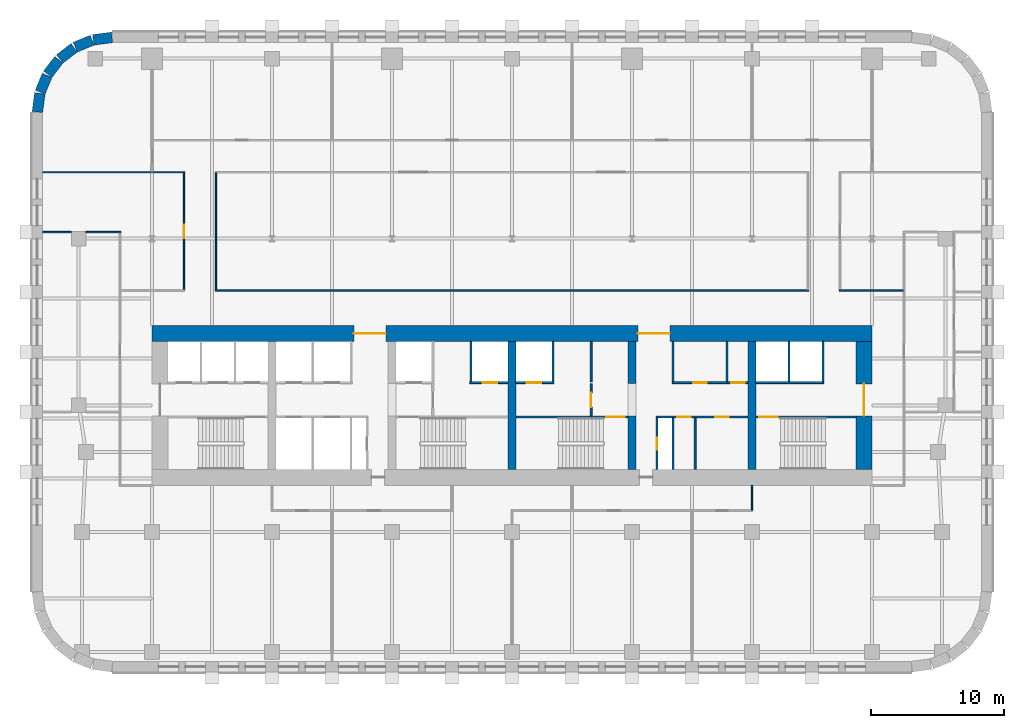
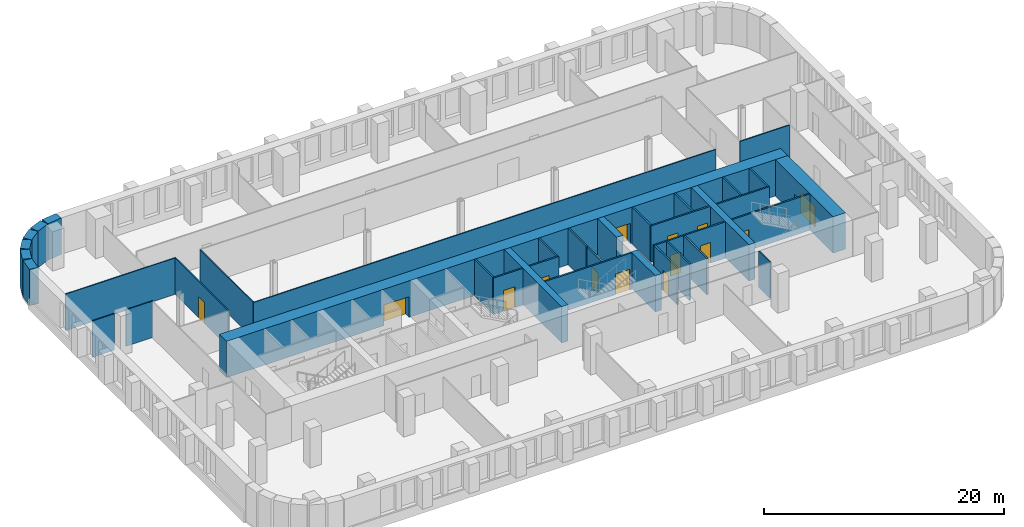
# One storey, part 6 of 12: 38 walls, 14 doors, 14 openings.
"""IFC4 building model written with IfcOpenShell, lengths in metres."""

from ifc_helpers import new_model, si_unit, direction, frame, frame_2d, origin, place, context, subcontext, project, spatial, rectangle, extrude, material, layer, layer_set, type_object, element, fill, save


model = new_model("IFC4")

# Units and contexts
model_context = context("Model", 3, precision=1e-05, world=origin(), true_north=direction((0.0, 1.0)))
body_context = subcontext(model_context, "Body", "Model", "MODEL_VIEW")
ifc_project = project(units=[si_unit("LENGTHUNIT", "METRE"), si_unit("AREAUNIT", "SQUARE_METRE"), si_unit("VOLUMEUNIT", "CUBIC_METRE"), si_unit("PLANEANGLEUNIT", "RADIAN"), si_unit("MASSUNIT", "GRAM", prefix="KILO")], contexts=[model_context])

# Site, building, storey
site_placement = place(None, origin())
site = spatial("IfcSite", under=ifc_project, at=site_placement, CompositionType="ELEMENT")
building_placement = place(site_placement, origin())
building = spatial("IfcBuilding", under=site, at=building_placement, Name="Zellij Exchange Tower", CompositionType="ELEMENT")
storey_placement = place(building_placement, frame((0.0, 0.0, 96.5)))
storey = spatial("IfcBuildingStorey", under=building, at=storey_placement, Name="L20", CompositionType="ELEMENT", Elevation=96.5)

# Walls
ifc_material_1 = material(Name="Concrete C70/85", Category="concrete")
ifc_layer_1 = layer(ifc_material_1, 0.60009765625)
ifc_layer_set_1 = layer_set([ifc_layer_1], Name="Concrete C70/85")
wall_type_1 = type_object("IfcWallType", Name="CORE-CW 600 C70/85", PredefinedType="SHEAR", material=ifc_layer_set_1)
wall_1_placement = place(storey_placement, frame((0.0, -12.800048828125, 0.0), z_axis=(0.0, 0.0, 1.0), x_axis=(0.0, 1.0, 0.0)))
element("IfcWall", 1, at=wall_1_placement, inside=storey, type_object=wall_type_1, Name="Core cross wall x 0 L20", PredefinedType="SHEAR", context=body_context, shape_type="SweptSolid", body=[
    extrude(rectangle(XDim=9.60009765625, YDim=0.60009765625, at=frame_2d((4.800048828125, 0.0))), origin(), (0.0, 0.0, 1.0), 3.699951171875),
])
wall_2_placement = place(storey_placement, frame((9.0, -12.800048828125, 0.0), z_axis=(0.0, 0.0, 1.0), x_axis=(0.0, 1.0, 0.0)))
element("IfcWall", 2, at=wall_2_placement, inside=storey, type_object=wall_type_1, Name="Core cross wall pier x 9 a L20", PredefinedType="SHEAR", context=body_context, shape_type="SweptSolid", body=[
    extrude(rectangle(XDim=4.0, YDim=0.60009765625, at=frame_2d((2.0, 0.0))), origin(), (0.0, 0.0, 1.0), 3.699951171875),
])
wall_3_placement = place(storey_placement, frame((9.0, -6.375, 0.0), z_axis=(0.0, 0.0, 1.0), x_axis=(0.0, 1.0, 0.0)))
element("IfcWall", 3, at=wall_3_placement, inside=storey, type_object=wall_type_1, Name="Core cross wall pier x 9 b L20", PredefinedType="SHEAR", context=body_context, shape_type="SweptSolid", body=[
    extrude(rectangle(XDim=3.175048828125, YDim=0.60009765625, at=frame_2d((1.58740234375, 0.0))), origin(), (0.0, 0.0, 1.0), 3.699951171875),
])
wall_4_placement = place(storey_placement, frame((18.0, -12.800048828125, 0.0), z_axis=(0.0, 0.0, 1.0), x_axis=(0.0, 1.0, 0.0)))
element("IfcWall", 4, at=wall_4_placement, inside=storey, type_object=wall_type_1, Name="Core cross wall x 18 L20", PredefinedType="SHEAR", context=body_context, shape_type="SweptSolid", body=[
    extrude(rectangle(XDim=9.60009765625, YDim=0.60009765625, at=frame_2d((4.800048828125, 0.0))), origin(), (0.0, 0.0, 1.0), 3.699951171875),
])

# Wall, opening, door
ifc_material_2 = material(Name="Gypsum shaft wall system")
ifc_layer_2 = layer(ifc_material_2, 0.14990234375)
ifc_layer_set_2 = layer_set([ifc_layer_2], Name="Gypsum shaft wall system")
wall_type_2 = type_object("IfcWallType", Name="CORE-PW 150 Firefighting lobby wall", PredefinedType="PARTITIONING", material=ifc_layer_set_2)
wall_5_placement = place(storey_placement, frame((5.925048828125, -8.800048828125, 0.0), z_axis=(0.0, 0.0, 1.0), x_axis=(0.0, 1.0, 0.0)))
wall_5 = element("IfcWall", 5, at=wall_5_placement, inside=storey, type_object=wall_type_2, Name="Firefighting lobby wall L20", PredefinedType="PARTITIONING", context=body_context, shape_type="SweptSolid", body=[
    extrude(rectangle(XDim=2.425048828125, YDim=0.14990234375, at=frame_2d((1.21240234375, 0.0))), origin(), (0.0, 0.0, 1.0), 3.699951171875),
])
opening_1_placement = place(wall_5_placement, frame((0.662109375, 0.0, 0.0)))
opening_1 = element("IfcOpeningElement", 6, at=opening_1_placement, cuts=wall_5, Name="Opening CA-10.18", PredefinedType="OPENING", context=body_context, shape_type="SweptSolid", body=[
    extrude(rectangle(XDim=1.10009765625, YDim=2.10009765625, at=frame_2d((0.550048828125, 1.050048828125))), frame((0.0, 0.0869140625, 0.0), z_axis=(0.0, -1.0, 0.0), x_axis=(1.0, 0.0, 0.0)), (0.0, 0.0, 1.0), 0.173828125),
])
ifc_material_3 = material(Name="Hollow metal fire door")
door_type_1 = type_object("IfcDoorType", Name="CORE-D F Firefighting lobby door 1100x2100 1 HR", OperationType="NOTDEFINED", PredefinedType="DOOR", material=ifc_material_3)
door_1_placement = place(opening_1_placement, origin())
door_1 = element("IfcDoor", 7, at=door_1_placement, inside=storey, type_object=door_type_1, Name="Firefighting lobby door CA-10.18", OperationType="SINGLE_SWING_RIGHT", OverallHeight=2.10009765625, OverallWidth=1.10009765625, PredefinedType="DOOR", context=body_context, shape_type="SweptSolid", body=[
    extrude(rectangle(XDim=1.10009765625, YDim=2.10009765625, at=frame_2d((0.550048828125, 1.050048828125))), frame((0.0, 0.02490234375, 0.0), z_axis=(0.0, -1.0, 0.0), x_axis=(1.0, 0.0, 0.0)), (0.0, 0.0, 1.0), 0.050048828125),
])
fill(opening_1, door_1)

# Walls
ifc_material_4 = material(Name="Gypsum board partition")
ifc_layer_3 = layer(ifc_material_4, 0.14990234375)
ifc_layer_set_3 = layer_set([ifc_layer_3], Name="Gypsum board partition")
wall_type_3 = type_object("IfcWallType", Name="CORE-PW 150 Lift lobby wall", PredefinedType="PARTITIONING", material=ifc_layer_set_3)
for number, where, z_axis, x_axis, name in (
    (8, (5.925048828125, -6.22509765625, 0.0), (0.0, 0.0, 1.0), (0.0, 1.0, 0.0), "Lift lobby wall L20"),
    (9, (12.074951171875, -6.22509765625, 0.0), (0.0, 0.0, 1.0), (0.0, 1.0, 0.0), "Lift lobby wall L20"),
    (10, (16.125, -6.22509765625, 0.0), (0.0, 0.0, 1.0), (0.0, 1.0, 0.0), "Lift lobby wall L20"),
):
    element("IfcWall", number, at=place(storey_placement, frame(where, z_axis=z_axis, x_axis=x_axis)), inside=storey, type_object=wall_type_3, Name=name, PredefinedType="PARTITIONING", context=body_context, shape_type="SweptSolid", body=[
        extrude(rectangle(XDim=3.025146484375, YDim=0.14990234375, at=frame_2d((1.5126953125, 0.0))), origin(), (0.0, 0.0, 1.0), 3.699951171875),
    ])

# Wall, opening, door
wall_6_placement = place(storey_placement, frame((10.875, -12.800048828125, 0.0), z_axis=(0.0, 0.0, 1.0), x_axis=(0.0, 1.0, 0.0)))
wall_6 = element("IfcWall", 11, at=wall_6_placement, inside=storey, type_object=wall_type_3, Name="Lift lobby wall L20", PredefinedType="PARTITIONING", context=body_context, shape_type="SweptSolid", body=[
    extrude(rectangle(XDim=3.85009765625, YDim=0.14990234375, at=frame_2d((1.925048828125, 0.0))), origin(), (0.0, 0.0, 1.0), 3.699951171875),
])
opening_2_placement = place(wall_6_placement, frame((1.47509765625, 0.0, 0.0)))
opening_2 = element("IfcOpeningElement", 12, at=opening_2_placement, cuts=wall_6, Name="Opening CA-10.22", PredefinedType="OPENING", context=body_context, shape_type="SweptSolid", body=[
    extrude(rectangle(XDim=0.89990234375, YDim=2.10009765625, at=frame_2d((0.449951171875, 1.050048828125))), frame((0.0, 0.0869140625, 0.0), z_axis=(0.0, -1.0, 0.0), x_axis=(1.0, 0.0, 0.0)), (0.0, 0.0, 1.0), 0.173828125),
])
door_type_2 = type_object("IfcDoorType", Name="CORE-D RD Riser door 900x2100 1.5 HR", OperationType="NOTDEFINED", PredefinedType="DOOR", material=ifc_material_3)
door_2_placement = place(opening_2_placement, origin())
door_2 = element("IfcDoor", 13, at=door_2_placement, inside=storey, type_object=door_type_2, Name="Riser door CA-10.22", OperationType="SINGLE_SWING_LEFT", OverallHeight=2.10009765625, OverallWidth=0.89990234375, PredefinedType="DOOR", context=body_context, shape_type="SweptSolid", body=[
    extrude(rectangle(XDim=0.89990234375, YDim=2.10009765625, at=frame_2d((0.449951171875, 1.050048828125))), frame((0.0, 0.02490234375, 0.0), z_axis=(0.0, -1.0, 0.0), x_axis=(1.0, 0.0, 0.0)), (0.0, 0.0, 1.0), 0.050048828125),
])
fill(opening_2, door_2)

# Walls
for number, where, z_axis, x_axis, name in (
    (14, (12.074951171875, -12.800048828125, 0.0), (0.0, 0.0, 1.0), (0.0, 1.0, 0.0), "Lift lobby wall L20"),
    (15, (13.72509765625, -12.800048828125, 0.0), (0.0, 0.0, 1.0), (0.0, 1.0, 0.0), "Lift lobby wall L20"),
):
    element("IfcWall", number, at=place(storey_placement, frame(where, z_axis=z_axis, x_axis=x_axis)), inside=storey, type_object=wall_type_3, Name=name, PredefinedType="PARTITIONING", context=body_context, shape_type="SweptSolid", body=[
        extrude(rectangle(XDim=3.85009765625, YDim=0.14990234375, at=frame_2d((1.925048828125, 0.0))), origin(), (0.0, 0.0, 1.0), 3.699951171875),
    ])

# Wall, openings, doors
wall_7_placement = place(storey_placement, frame((12.0, -6.300048828125, 0.0), z_axis=(0.0, 0.0, 1.0), x_axis=(1.0, 0.0, 0.0)))
wall_7 = element("IfcWall", 16, at=wall_7_placement, inside=storey, type_object=wall_type_3, Name="Lift lobby wall L20", PredefinedType="PARTITIONING", context=body_context, shape_type="SweptSolid", body=[
    extrude(rectangle(XDim=5.699951171875, YDim=0.14990234375, at=frame_2d((2.85009765625, 0.0))), origin(), (0.0, 0.0, 1.0), 3.699951171875),
])
opening_3_placement = place(wall_7_placement, frame((1.60009765625, 0.0, 0.0)))
opening_3 = element("IfcOpeningElement", 17, at=opening_3_placement, cuts=wall_7, Name="Opening CA-10.24", PredefinedType="OPENING", context=body_context, shape_type="SweptSolid", body=[
    extrude(rectangle(XDim=1.0, YDim=2.10009765625, at=frame_2d((0.5, 1.050048828125))), frame((0.0, 0.0869140625, 0.0), z_axis=(0.0, -1.0, 0.0), x_axis=(1.0, 0.0, 0.0)), (0.0, 0.0, 1.0), 0.173828125),
])
opening_4_placement = place(wall_7_placement, frame((4.449951171875, 0.0, 0.0)))
opening_4 = element("IfcOpeningElement", 18, at=opening_4_placement, cuts=wall_7, Name="Opening CA-10.26", PredefinedType="OPENING", context=body_context, shape_type="SweptSolid", body=[
    extrude(rectangle(XDim=1.0, YDim=2.10009765625, at=frame_2d((0.5, 1.050048828125))), frame((0.0, 0.0869140625, 0.0), z_axis=(0.0, -1.0, 0.0), x_axis=(1.0, 0.0, 0.0)), (0.0, 0.0, 1.0), 0.173828125),
])
door_type_3 = type_object("IfcDoorType", Name="CORE-D CD Core room door 1000x2100 1 HR", OperationType="NOTDEFINED", PredefinedType="DOOR", material=ifc_material_3)
door_3_placement = place(opening_3_placement, origin())
door_3 = element("IfcDoor", 19, at=door_3_placement, inside=storey, type_object=door_type_3, Name="Core room door CA-10.24", OperationType="SINGLE_SWING_LEFT", OverallHeight=2.10009765625, OverallWidth=1.0, PredefinedType="DOOR", context=body_context, shape_type="SweptSolid", body=[
    extrude(rectangle(XDim=1.0, YDim=2.10009765625, at=frame_2d((0.5, 1.050048828125))), frame((0.0, 0.02490234375, 0.0), z_axis=(0.0, -1.0, 0.0), x_axis=(1.0, 0.0, 0.0)), (0.0, 0.0, 1.0), 0.050048828125),
])
fill(opening_3, door_3)
door_4_placement = place(opening_4_placement, origin())
door_4 = element("IfcDoor", 20, at=door_4_placement, inside=storey, type_object=door_type_3, Name="Core room door CA-10.26", OperationType="SINGLE_SWING_RIGHT", OverallHeight=2.10009765625, OverallWidth=1.0, PredefinedType="DOOR", context=body_context, shape_type="SweptSolid", body=[
    extrude(rectangle(XDim=1.0, YDim=2.10009765625, at=frame_2d((0.5, 1.050048828125))), frame((0.0, 0.02490234375, 0.0), z_axis=(0.0, -1.0, 0.0), x_axis=(1.0, 0.0, 0.0)), (0.0, 0.0, 1.0), 0.050048828125),
])
fill(opening_4, door_4)

wall_8_placement = place(storey_placement, frame((10.800048828125, -8.875, 0.0), z_axis=(0.0, 0.0, 1.0), x_axis=(1.0, 0.0, 0.0)))
wall_8 = element("IfcWall", 21, at=wall_8_placement, inside=storey, type_object=wall_type_3, Name="Lift lobby wall L20", PredefinedType="PARTITIONING", context=body_context, shape_type="SweptSolid", body=[
    extrude(rectangle(XDim=6.89990234375, YDim=0.14990234375, at=frame_2d((3.449951171875, 0.0))), origin(), (0.0, 0.0, 1.0), 3.699951171875),
])
opening_5_placement = place(wall_8_placement, frame((1.60009765625, 0.0, 0.0)))
opening_5 = element("IfcOpeningElement", 22, at=opening_5_placement, cuts=wall_8, Name="Opening CA-10.23", PredefinedType="OPENING", context=body_context, shape_type="SweptSolid", body=[
    extrude(rectangle(XDim=1.0, YDim=2.10009765625, at=frame_2d((0.5, 1.050048828125))), frame((0.0, 0.0869140625, 0.0), z_axis=(0.0, -1.0, 0.0), x_axis=(1.0, 0.0, 0.0)), (0.0, 0.0, 1.0), 0.173828125),
])
opening_6_placement = place(wall_8_placement, frame((4.449951171875, 0.0, 0.0)))
opening_6 = element("IfcOpeningElement", 23, at=opening_6_placement, cuts=wall_8, Name="Opening CA-10.25", PredefinedType="OPENING", context=body_context, shape_type="SweptSolid", body=[
    extrude(rectangle(XDim=1.0, YDim=2.10009765625, at=frame_2d((0.5, 1.050048828125))), frame((0.0, 0.0869140625, 0.0), z_axis=(0.0, -1.0, 0.0), x_axis=(1.0, 0.0, 0.0)), (0.0, 0.0, 1.0), 0.173828125),
])
door_5_placement = place(opening_5_placement, origin())
door_5 = element("IfcDoor", 24, at=door_5_placement, inside=storey, type_object=door_type_3, Name="Core room door CA-10.23", OperationType="SINGLE_SWING_RIGHT", OverallHeight=2.10009765625, OverallWidth=1.0, PredefinedType="DOOR", context=body_context, shape_type="SweptSolid", body=[
    extrude(rectangle(XDim=1.0, YDim=2.10009765625, at=frame_2d((0.5, 1.050048828125))), frame((0.0, 0.02490234375, 0.0), z_axis=(0.0, -1.0, 0.0), x_axis=(1.0, 0.0, 0.0)), (0.0, 0.0, 1.0), 0.050048828125),
])
fill(opening_5, door_5)
door_6_placement = place(opening_6_placement, origin())
door_6 = element("IfcDoor", 25, at=door_6_placement, inside=storey, type_object=door_type_3, Name="Core room door CA-10.25", OperationType="SINGLE_SWING_LEFT", OverallHeight=2.10009765625, OverallWidth=1.0, PredefinedType="DOOR", context=body_context, shape_type="SweptSolid", body=[
    extrude(rectangle(XDim=1.0, YDim=2.10009765625, at=frame_2d((0.5, 1.050048828125))), frame((0.0, 0.02490234375, 0.0), z_axis=(0.0, -1.0, 0.0), x_axis=(1.0, 0.0, 0.0)), (0.0, 0.0, 1.0), 0.050048828125),
])
fill(opening_6, door_6)

# Walls
ifc_layer_4 = layer(ifc_material_2, 0.14990234375)
ifc_layer_set_4 = layer_set([ifc_layer_4], Name="Gypsum shaft wall system")
wall_type_4 = type_object("IfcWallType", Name="CORE-PW 150 Lift shaft wall", PredefinedType="PARTITIONING", material=ifc_layer_set_4)
for number, where, z_axis, x_axis, name in (
    (26, (-3.074951171875, -6.22509765625, 0.0), (0.0, 0.0, 1.0), (0.0, 1.0, 0.0), "Lift shaft wall L20"),
    (27, (3.074951171875, -6.22509765625, 0.0), (0.0, 0.0, 1.0), (0.0, 1.0, 0.0), "Lift shaft wall L20"),
    (28, (20.77490234375, -6.22509765625, 0.0), (0.0, 0.0, 1.0), (0.0, 1.0, 0.0), "Lift shaft wall L20"),
    (29, (23.324951171875, -6.22509765625, 0.0), (0.0, 0.0, 1.0), (0.0, 1.0, 0.0), "Lift shaft wall L20"),
):
    element("IfcWall", number, at=place(storey_placement, frame(where, z_axis=z_axis, x_axis=x_axis)), inside=storey, type_object=wall_type_4, Name=name, PredefinedType="PARTITIONING", context=body_context, shape_type="SweptSolid", body=[
        extrude(rectangle(XDim=3.025146484375, YDim=0.14990234375, at=frame_2d((1.5126953125, 0.0))), origin(), (0.0, 0.0, 1.0), 3.699951171875),
    ])

# Wall, opening, door
wall_9_placement = place(storey_placement, frame((-3.14990234375, -6.300048828125, 0.0), z_axis=(0.0, 0.0, 1.0), x_axis=(1.0, 0.0, 0.0)))
wall_9 = element("IfcWall", 30, at=wall_9_placement, inside=storey, type_object=wall_type_4, Name="Lift shaft wall L20", PredefinedType="PARTITIONING", context=body_context, shape_type="SweptSolid", body=[
    extrude(rectangle(XDim=2.849853515625, YDim=0.14990234375, at=frame_2d((1.4248046875, 0.0))), origin(), (0.0, 0.0, 1.0), 3.699951171875),
])
opening_7_placement = place(wall_9_placement, frame((0.949951171875, 0.0, 0.0)))
opening_7 = element("IfcOpeningElement", 31, at=opening_7_placement, cuts=wall_9, Name="Opening CA-10.16", PredefinedType="OPENING", context=body_context, shape_type="SweptSolid", body=[
    extrude(rectangle(XDim=1.10009765625, YDim=2.10009765625, at=frame_2d((0.550048828125, 1.050048828125))), frame((0.0, 0.0869140625, 0.0), z_axis=(0.0, -1.0, 0.0), x_axis=(1.0, 0.0, 0.0)), (0.0, 0.0, 1.0), 0.173828125),
])
door_type_4 = type_object("IfcDoorType", Name="CORE-D LD Lift landing door 1100x2100 1.5 HR", OperationType="NOTDEFINED", PredefinedType="DOOR", material=ifc_material_3)
door_7_placement = place(opening_7_placement, origin())
door_7 = element("IfcDoor", 32, at=door_7_placement, inside=storey, type_object=door_type_4, Name="Lift landing door CA-10.16", OperationType="SLIDING_TO_RIGHT", OverallHeight=2.10009765625, OverallWidth=1.10009765625, PredefinedType="DOOR", context=body_context, shape_type="SweptSolid", body=[
    extrude(rectangle(XDim=1.10009765625, YDim=2.10009765625, at=frame_2d((0.550048828125, 1.050048828125))), frame((0.0, 0.02490234375, 0.0), z_axis=(0.0, -1.0, 0.0), x_axis=(1.0, 0.0, 0.0)), (0.0, 0.0, 1.0), 0.050048828125),
])
fill(opening_7, door_7)

wall_10_placement = place(storey_placement, frame((0.300048828125, -6.300048828125, 0.0), z_axis=(0.0, 0.0, 1.0), x_axis=(1.0, 0.0, 0.0)))
wall_10 = element("IfcWall", 33, at=wall_10_placement, inside=storey, type_object=wall_type_4, Name="Lift shaft wall L20", PredefinedType="PARTITIONING", context=body_context, shape_type="SweptSolid", body=[
    extrude(rectangle(XDim=2.849853515625, YDim=0.14990234375, at=frame_2d((1.4248046875, 0.0))), origin(), (0.0, 0.0, 1.0), 3.699951171875),
])
opening_8_placement = place(wall_10_placement, frame((0.800048828125, 0.0, 0.0)))
opening_8 = element("IfcOpeningElement", 34, at=opening_8_placement, cuts=wall_10, Name="Opening CA-10.17", PredefinedType="OPENING", context=body_context, shape_type="SweptSolid", body=[
    extrude(rectangle(XDim=1.10009765625, YDim=2.10009765625, at=frame_2d((0.550048828125, 1.050048828125))), frame((0.0, 0.0869140625, 0.0), z_axis=(0.0, -1.0, 0.0), x_axis=(1.0, 0.0, 0.0)), (0.0, 0.0, 1.0), 0.173828125),
])
door_8_placement = place(opening_8_placement, origin())
door_8 = element("IfcDoor", 35, at=door_8_placement, inside=storey, type_object=door_type_4, Name="Lift landing door CA-10.17", OperationType="SLIDING_TO_LEFT", OverallHeight=2.10009765625, OverallWidth=1.10009765625, PredefinedType="DOOR", context=body_context, shape_type="SweptSolid", body=[
    extrude(rectangle(XDim=1.10009765625, YDim=2.10009765625, at=frame_2d((0.550048828125, 1.050048828125))), frame((0.0, 0.02490234375, 0.0), z_axis=(0.0, -1.0, 0.0), x_axis=(1.0, 0.0, 0.0)), (0.0, 0.0, 1.0), 0.050048828125),
])
fill(opening_8, door_8)

# Wall
wall_11_placement = place(storey_placement, frame((18.300048828125, -6.300048828125, 0.0), z_axis=(0.0, 0.0, 1.0), x_axis=(1.0, 0.0, 0.0)))
element("IfcWall", 36, at=wall_11_placement, inside=storey, type_object=wall_type_4, Name="Lift shaft wall L20", PredefinedType="PARTITIONING", context=body_context, shape_type="SweptSolid", body=[
    extrude(rectangle(XDim=5.099853515625, YDim=0.14990234375, at=frame_2d((2.5498046875, 0.0))), origin(), (0.0, 0.0, 1.0), 3.699951171875),
])

# Wall, openings, doors
ifc_layer_5 = layer(ifc_material_1, 1.199951171875)
ifc_layer_set_5 = layer_set([ifc_layer_5], Name="Concrete C70/85")
wall_type_5 = type_object("IfcWallType", Name="CORE-SW 1200 C70/85", PredefinedType="SHEAR", material=ifc_layer_set_5)
wall_12_placement = place(storey_placement, frame((-27.0, -2.60009765625, 0.0), z_axis=(0.0, 0.0, 1.0), x_axis=(1.0, 0.0, 0.0)))
wall_12 = element("IfcWall", 37, at=wall_12_placement, inside=storey, type_object=wall_type_5, Name="Core shear wall front L20", PredefinedType="SHEAR", context=body_context, shape_type="SweptSolid", body=[
    extrude(rectangle(XDim=54.0, YDim=1.199951171875, at=frame_2d((27.0, 0.0))), origin(), (0.0, 0.0, 1.0), 3.699951171875),
])
opening_9_placement = place(wall_12_placement, frame((15.14990234375, 0.0, 0.0)))
opening_9 = element("IfcOpeningElement", 38, at=opening_9_placement, cuts=wall_12, Name="Opening CA-10.11", PredefinedType="OPENING", context=body_context, shape_type="SweptSolid", body=[
    extrude(rectangle(XDim=2.39990234375, YDim=2.10009765625, at=frame_2d((1.199951171875, 1.050048828125))), frame((0.0, 0.61181640625, 0.0), z_axis=(0.0, -1.0, 0.0), x_axis=(1.0, 0.0, 0.0)), (0.0, 0.0, 1.0), 1.223876953125),
])
opening_10_placement = place(wall_12_placement, frame((36.449951171875, 0.0, 0.0)))
opening_10 = element("IfcOpeningElement", 39, at=opening_10_placement, cuts=wall_12, Name="Opening CA-10.21", PredefinedType="OPENING", context=body_context, shape_type="SweptSolid", body=[
    extrude(rectangle(XDim=2.39990234375, YDim=2.10009765625, at=frame_2d((1.199951171875, 1.050048828125))), frame((0.0, 0.61181640625, 0.0), z_axis=(0.0, -1.0, 0.0), x_axis=(1.0, 0.0, 0.0)), (0.0, 0.0, 1.0), 1.223876953125),
])
door_type_5 = type_object("IfcDoorType", Name="CORE-D CE Core entrance door 2400x2100 20 MIN", OperationType="NOTDEFINED", PredefinedType="DOOR", material=ifc_material_3)
door_9_placement = place(opening_9_placement, origin())
door_9 = element("IfcDoor", 40, at=door_9_placement, inside=storey, type_object=door_type_5, Name="Core entrance door CA-10.11", OperationType="DOUBLE_DOOR_SINGLE_SWING", OverallHeight=2.10009765625, OverallWidth=2.39990234375, PredefinedType="DOOR", context=body_context, shape_type="SweptSolid", body=[
    extrude(rectangle(XDim=2.39990234375, YDim=2.10009765625, at=frame_2d((1.199951171875, 1.050048828125))), frame((0.0, 0.02490234375, 0.0), z_axis=(0.0, -1.0, 0.0), x_axis=(1.0, 0.0, 0.0)), (0.0, 0.0, 1.0), 0.050048828125),
])
fill(opening_9, door_9)
door_10_placement = place(opening_10_placement, origin())
door_10 = element("IfcDoor", 41, at=door_10_placement, inside=storey, type_object=door_type_5, Name="Core entrance door CA-10.21", OperationType="DOUBLE_DOOR_SINGLE_SWING", OverallHeight=2.10009765625, OverallWidth=2.39990234375, PredefinedType="DOOR", context=body_context, shape_type="SweptSolid", body=[
    extrude(rectangle(XDim=2.39990234375, YDim=2.10009765625, at=frame_2d((1.199951171875, 1.050048828125))), frame((0.0, 0.02490234375, 0.0), z_axis=(0.0, -1.0, 0.0), x_axis=(1.0, 0.0, 0.0)), (0.0, 0.0, 1.0), 0.050048828125),
])
fill(opening_10, door_10)

# Wall, opening, door
wall_13_placement = place(storey_placement, frame((26.39990234375, -12.800048828125, 0.0), z_axis=(0.0, 0.0, 1.0), x_axis=(0.0, 1.0, 0.0)))
wall_13 = element("IfcWall", 42, at=wall_13_placement, inside=storey, type_object=wall_type_5, Name="Core shear wall end e L20", PredefinedType="SHEAR", context=body_context, shape_type="SweptSolid", body=[
    extrude(rectangle(XDim=9.60009765625, YDim=1.199951171875, at=frame_2d((4.800048828125, 0.0))), origin(), (0.0, 0.0, 1.0), 3.699951171875),
])
opening_11_placement = place(wall_13_placement, frame((4.011962890625, 0.0, 0.0)))
opening_11 = element("IfcOpeningElement", 43, at=opening_11_placement, cuts=wall_13, Name="Opening CA-10.28", PredefinedType="OPENING", context=body_context, shape_type="SweptSolid", body=[
    extrude(rectangle(XDim=2.39990234375, YDim=2.10009765625, at=frame_2d((1.199951171875, 1.050048828125))), frame((0.0, 0.61181640625, 0.0), z_axis=(0.0, -1.0, 0.0), x_axis=(1.0, 0.0, 0.0)), (0.0, 0.0, 1.0), 1.223876953125),
])
door_11_placement = place(opening_11_placement, origin())
door_11 = element("IfcDoor", 44, at=door_11_placement, inside=storey, type_object=door_type_5, Name="Core entrance door CA-10.28", OperationType="DOUBLE_DOOR_SINGLE_SWING", OverallHeight=2.10009765625, OverallWidth=2.39990234375, PredefinedType="DOOR", context=body_context, shape_type="SweptSolid", body=[
    extrude(rectangle(XDim=2.39990234375, YDim=2.10009765625, at=frame_2d((1.199951171875, 1.050048828125))), frame((0.0, 0.02490234375, 0.0), z_axis=(0.0, -1.0, 0.0), x_axis=(1.0, 0.0, 0.0)), (0.0, 0.0, 1.0), 0.050048828125),
])
fill(opening_11, door_11)

ifc_layer_6 = layer(ifc_material_1, 0.14990234375)
ifc_layer_set_6 = layer_set([ifc_layer_6], Name="Concrete C70/85")
wall_type_6 = type_object("IfcWallType", Name="CORE-SWS 150 C70/85", PredefinedType="SHEAR", material=ifc_layer_set_6)
wall_14_placement = place(storey_placement, frame((0.300048828125, -8.875, 0.0), z_axis=(0.0, 0.0, 1.0), x_axis=(1.0, 0.0, 0.0)))
wall_14 = element("IfcWall", 45, at=wall_14_placement, inside=storey, type_object=wall_type_6, Name="Stair enclosure wall L20", PredefinedType="SHEAR", context=body_context, shape_type="SweptSolid", body=[
    extrude(rectangle(XDim=8.39990234375, YDim=0.14990234375, at=frame_2d((4.199951171875, 0.0))), origin(), (0.0, 0.0, 1.0), 3.699951171875),
])
opening_12_placement = place(wall_14_placement, frame((6.77490234375, 0.0, 0.0)))
opening_12 = element("IfcOpeningElement", 46, at=opening_12_placement, cuts=wall_14, Name="Opening CA-10.19", PredefinedType="OPENING", context=body_context, shape_type="SweptSolid", body=[
    extrude(rectangle(XDim=1.39990234375, YDim=2.10009765625, at=frame_2d((0.699951171875, 1.050048828125))), frame((0.0, 0.0869140625, 0.0), z_axis=(0.0, -1.0, 0.0), x_axis=(1.0, 0.0, 0.0)), (0.0, 0.0, 1.0), 0.173828125),
])
door_type_6 = type_object("IfcDoorType", Name="CORE-D SD Stair door 1400x2100 1.5 HR", OperationType="NOTDEFINED", PredefinedType="DOOR", material=ifc_material_3)
door_12_placement = place(opening_12_placement, origin())
door_12 = element("IfcDoor", 47, at=door_12_placement, inside=storey, type_object=door_type_6, Name="Stair door CA-10.19", OperationType="DOUBLE_DOOR_SINGLE_SWING", OverallHeight=2.10009765625, OverallWidth=1.39990234375, PredefinedType="DOOR", context=body_context, shape_type="SweptSolid", body=[
    extrude(rectangle(XDim=1.39990234375, YDim=2.10009765625, at=frame_2d((0.699951171875, 1.050048828125))), frame((0.0, 0.02490234375, 0.0), z_axis=(0.0, -1.0, 0.0), x_axis=(1.0, 0.0, 0.0)), (0.0, 0.0, 1.0), 0.050048828125),
])
fill(opening_12, door_12)

wall_15_placement = place(storey_placement, frame((18.300048828125, -8.875, 0.0), z_axis=(0.0, 0.0, 1.0), x_axis=(1.0, 0.0, 0.0)))
wall_15 = element("IfcWall", 48, at=wall_15_placement, inside=storey, type_object=wall_type_6, Name="Stair enclosure wall L20", PredefinedType="SHEAR", context=body_context, shape_type="SweptSolid", body=[
    extrude(rectangle(XDim=7.5, YDim=0.14990234375, at=frame_2d((3.75, 0.0))), origin(), (0.0, 0.0, 1.0), 3.699951171875),
])
opening_13_placement = place(wall_15_placement, frame((0.22509765625, 0.0, 0.0)))
opening_13 = element("IfcOpeningElement", 49, at=opening_13_placement, cuts=wall_15, Name="Opening CA-10.27", PredefinedType="OPENING", context=body_context, shape_type="SweptSolid", body=[
    extrude(rectangle(XDim=1.39990234375, YDim=2.10009765625, at=frame_2d((0.699951171875, 1.050048828125))), frame((0.0, 0.0869140625, 0.0), z_axis=(0.0, -1.0, 0.0), x_axis=(1.0, 0.0, 0.0)), (0.0, 0.0, 1.0), 0.173828125),
])
door_13_placement = place(opening_13_placement, origin())
door_13 = element("IfcDoor", 50, at=door_13_placement, inside=storey, type_object=door_type_6, Name="Stair door CA-10.27", OperationType="DOUBLE_DOOR_SINGLE_SWING", OverallHeight=2.10009765625, OverallWidth=1.39990234375, PredefinedType="DOOR", context=body_context, shape_type="SweptSolid", body=[
    extrude(rectangle(XDim=1.39990234375, YDim=2.10009765625, at=frame_2d((0.699951171875, 1.050048828125))), frame((0.0, 0.02490234375, 0.0), z_axis=(0.0, -1.0, 0.0), x_axis=(1.0, 0.0, 0.0)), (0.0, 0.0, 1.0), 0.050048828125),
])
fill(opening_13, door_13)

# Walls
ifc_material_5 = material(Name="Precast concrete C40/50", Category="concrete")
ifc_layer_7 = layer(ifc_material_5, 0.800048828125)
ifc_layer_set_7 = layer_set([ifc_layer_7], Name="Precast concrete C40/50")
wall_type_7 = type_object("IfcWallType", Name="ENV-EW1 Precast stone-piered wall 800", PredefinedType="SOLIDWALL", material=ifc_layer_set_7)
wall_16_placement = place(storey_placement, frame((-29.999755859375, 19.5966796875, 0.0), z_axis=(0.0, 0.0, 1.0), x_axis=(-0.99144603414, -0.130517283865, 0.0)))
element("IfcWall", 51, at=wall_16_placement, inside=storey, type_object=wall_type_7, Name="fac.L20.15", PredefinedType="SOLIDWALL", context=body_context, shape_type="SweptSolid", body=[
    extrude(rectangle(XDim=1.408447265625, YDim=0.800048828125, at=frame_2d((0.7041015625, 0.0))), origin(), (0.0, 0.0, 1.0), 3.699951171875),
])
wall_17_placement = place(storey_placement, frame((-31.497314453125, 19.3857421875, 0.0), z_axis=(0.0, 0.0, 1.0), x_axis=(-0.923847774587, -0.38276009378, 0.0)))
element("IfcWall", 52, at=wall_17_placement, inside=storey, type_object=wall_type_7, Name="fac.L20.16", PredefinedType="SOLIDWALL", context=body_context, shape_type="SweptSolid", body=[
    extrude(rectangle(XDim=1.35546875, YDim=0.800048828125, at=frame_2d((0.677734375, 0.0))), origin(), (0.0, 0.0, 1.0), 3.699951171875),
])
for number, where, z_axis, x_axis, name in (
    (53, (-32.840087890625, 18.814697265625, 0.0), (0.0, 0.0, 1.0), (-0.793272915452, -0.608866226366, 0.0), "fac.L20.17"),
    (54, (-33.9892578125, 17.91552734375, 0.0), (0.0, 0.0, 1.0), (-0.608866226366, -0.793272915452, 0.0), "fac.L20.18"),
):
    element("IfcWall", number, at=place(storey_placement, frame(where, z_axis=z_axis, x_axis=x_axis)), inside=storey, type_object=wall_type_7, Name=name, PredefinedType="SOLIDWALL", context=body_context, shape_type="SweptSolid", body=[
        extrude(rectangle(XDim=1.355712890625, YDim=0.800048828125, at=frame_2d((0.677734375, 0.0))), origin(), (0.0, 0.0, 1.0), 3.699951171875),
    ])
wall_18_placement = place(storey_placement, frame((-34.866943359375, 16.74951171875, 0.0), z_axis=(0.0, 0.0, 1.0), x_axis=(-0.38276009378, -0.923847774587, 0.0)))
element("IfcWall", 55, at=wall_18_placement, inside=storey, type_object=wall_type_7, Name="fac.L20.19", PredefinedType="SOLIDWALL", context=body_context, shape_type="SweptSolid", body=[
    extrude(rectangle(XDim=1.35546875, YDim=0.800048828125, at=frame_2d((0.677734375, 0.0))), origin(), (0.0, 0.0, 1.0), 3.699951171875),
])
wall_19_placement = place(storey_placement, frame((-35.412841796875, 15.396240234375, 0.0), z_axis=(0.0, 0.0, 1.0), x_axis=(-0.130517283865, -0.99144603414, 0.0)))
element("IfcWall", 56, at=wall_19_placement, inside=storey, type_object=wall_type_7, Name="fac.L20.20", PredefinedType="SOLIDWALL", context=body_context, shape_type="SweptSolid", body=[
    extrude(rectangle(XDim=1.408447265625, YDim=0.800048828125, at=frame_2d((0.7041015625, 0.0))), origin(), (0.0, 0.0, 1.0), 3.699951171875),
])
ifc_material_6 = material(Name="Gypsum board partition on steel studs", Category="steel")
ifc_layer_8 = layer(ifc_material_6, 0.10009765625)
ifc_layer_set_8 = layer_set([ifc_layer_8], Name="Gypsum board partition on steel studs")
wall_type_8 = type_object("IfcWallType", Name="FIT-PARTITION-100", PredefinedType="PARTITIONING", material=ifc_layer_set_8)
wall_20_placement = place(storey_placement, frame((18.0, -15.85009765625, 0.0), z_axis=(0.0, 0.0, 1.0), x_axis=(0.0, 1.0, 0.0)))
element("IfcWall", 57, at=wall_20_placement, inside=storey, type_object=wall_type_8, Name="FIT-PARTITION-100 012", PredefinedType="PARTITIONING", context=body_context, shape_type="SweptSolid", body=[
    extrude(rectangle(XDim=1.85009765625, YDim=0.10009765625, at=frame_2d((0.925048828125, 0.0))), origin(), (0.0, 0.0, 1.0), 3.699951171875),
])

# Wall, opening, door
wall_21_placement = place(storey_placement, frame((-24.60009765625, 0.64990234375, 0.0), z_axis=(0.0, 0.0, 1.0), x_axis=(0.0, 1.0, 0.0)))
wall_21 = element("IfcWall", 58, at=wall_21_placement, inside=storey, type_object=wall_type_8, Name="FIT-PARTITION-100 025", PredefinedType="PARTITIONING", context=body_context, shape_type="SweptSolid", body=[
    extrude(rectangle(XDim=8.780029296875, YDim=0.10009765625, at=frame_2d((4.39013671875, 0.0))), origin(), (0.0, 0.0, 1.0), 3.699951171875),
])
opening_14_placement = place(wall_21_placement, frame((3.89990234375, 0.0, 0.0)))
opening_14 = element("IfcOpeningElement", 59, at=opening_14_placement, cuts=wall_21, Name="Opening TD.10", PredefinedType="OPENING", context=body_context, shape_type="SweptSolid", body=[
    extrude(rectangle(XDim=1.0, YDim=2.10009765625, at=frame_2d((0.5, 1.050048828125))), frame((0.0, 0.06201171875, 0.0), z_axis=(0.0, -1.0, 0.0), x_axis=(1.0, 0.0, 0.0)), (0.0, 0.0, 1.0), 0.1240234375),
])
ifc_material_7 = material(Name="Timber door set", Category="wood")
door_type_7 = type_object("IfcDoorType", Name="FIT-D2-WIDE-1000X2100", OperationType="SINGLE_SWING_LEFT", PredefinedType="DOOR", material=ifc_material_7)
door_14_placement = place(opening_14_placement, origin())
door_14 = element("IfcDoor", 60, at=door_14_placement, inside=storey, type_object=door_type_7, Name="Door TD.10", OperationType="SINGLE_SWING_LEFT", OverallHeight=2.10009765625, OverallWidth=1.0, PredefinedType="DOOR", context=body_context, shape_type="SweptSolid", body=[
    extrude(rectangle(XDim=1.0, YDim=2.10009765625, at=frame_2d((0.5, 1.050048828125))), frame((0.0, 0.02490234375, 0.0), z_axis=(0.0, -1.0, 0.0), x_axis=(1.0, 0.0, 0.0)), (0.0, 0.0, 1.0), 0.050048828125),
])
fill(opening_14, door_14)

# Walls
wall_22_placement = place(storey_placement, frame((-22.25, 0.60009765625, 0.0), z_axis=(0.0, 0.0, 1.0), x_axis=(1.0, 0.0, 0.0)))
element("IfcWall", 61, at=wall_22_placement, inside=storey, type_object=wall_type_8, Name="FIT-PARTITION-100 026", PredefinedType="PARTITIONING", context=body_context, shape_type="SweptSolid", body=[
    extrude(rectangle(XDim=44.5, YDim=0.10009765625, at=frame_2d((22.25, 0.0))), origin(), (0.0, 0.0, 1.0), 3.699951171875),
])
wall_23_placement = place(storey_placement, frame((-22.199951171875, 0.64990234375, 0.0), z_axis=(0.0, 0.0, 1.0), x_axis=(0.0, 1.0, 0.0)))
element("IfcWall", 62, at=wall_23_placement, inside=storey, type_object=wall_type_8, Name="FIT-PARTITION-100 027", PredefinedType="PARTITIONING", context=body_context, shape_type="SweptSolid", body=[
    extrude(rectangle(XDim=8.780029296875, YDim=0.10009765625, at=frame_2d((4.39013671875, 0.0))), origin(), (0.0, 0.0, 1.0), 3.699951171875),
])
wall_24_placement = place(storey_placement, frame((24.550048828125, 0.60009765625, 0.0), z_axis=(0.0, 0.0, 1.0), x_axis=(1.0, 0.0, 0.0)))
element("IfcWall", 63, at=wall_24_placement, inside=storey, type_object=wall_type_8, Name="FIT-PARTITION-100 029", PredefinedType="PARTITIONING", context=body_context, shape_type="SweptSolid", body=[
    extrude(rectangle(XDim=4.800048828125, YDim=0.10009765625, at=frame_2d((2.39990234375, 0.0))), origin(), (0.0, 0.0, 1.0), 3.699951171875),
])
wall_25_placement = place(storey_placement, frame((-35.199951171875, 4.989990234375, 0.0), z_axis=(0.0, 0.0, 1.0), x_axis=(1.0, 0.0, 0.0)))
element("IfcWall", 64, at=wall_25_placement, inside=storey, type_object=wall_type_8, Name="FIT-PARTITION-100 031", PredefinedType="PARTITIONING", context=body_context, shape_type="SweptSolid", body=[
    extrude(rectangle(XDim=2.14990234375, YDim=0.10009765625, at=frame_2d((1.074951171875, 0.0))), origin(), (0.0, 0.0, 1.0), 3.699951171875),
])
wall_26_placement = place(storey_placement, frame((-31.949951171875, 4.989990234375, 0.0), z_axis=(0.0, 0.0, 1.0), x_axis=(1.0, 0.0, 0.0)))
element("IfcWall", 65, at=wall_26_placement, inside=storey, type_object=wall_type_8, Name="FIT-PARTITION-100 032", PredefinedType="PARTITIONING", context=body_context, shape_type="SweptSolid", body=[
    extrude(rectangle(XDim=2.599853515625, YDim=0.10009765625, at=frame_2d((1.2998046875, 0.0))), origin(), (0.0, 0.0, 1.0), 3.699951171875),
])
wall_27_placement = place(storey_placement, frame((-35.199951171875, 9.47998046875, 0.0), z_axis=(0.0, 0.0, 1.0), x_axis=(1.0, 0.0, 0.0)))
element("IfcWall", 66, at=wall_27_placement, inside=storey, type_object=wall_type_8, Name="FIT-PARTITION-100 035", PredefinedType="PARTITIONING", context=body_context, shape_type="SweptSolid", body=[
    extrude(rectangle(XDim=10.64990234375, YDim=0.10009765625, at=frame_2d((5.324951171875, 0.0))), origin(), (0.0, 0.0, 1.0), 3.699951171875),
])

save(model, "model.ifc")
